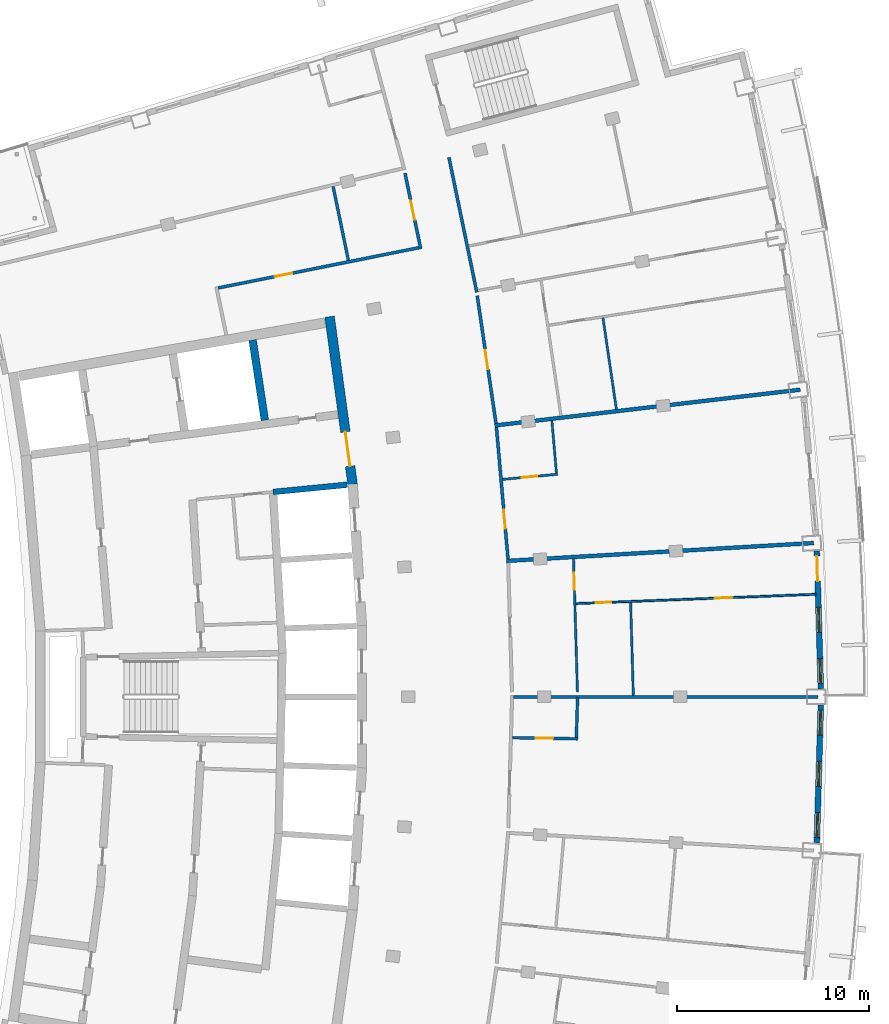
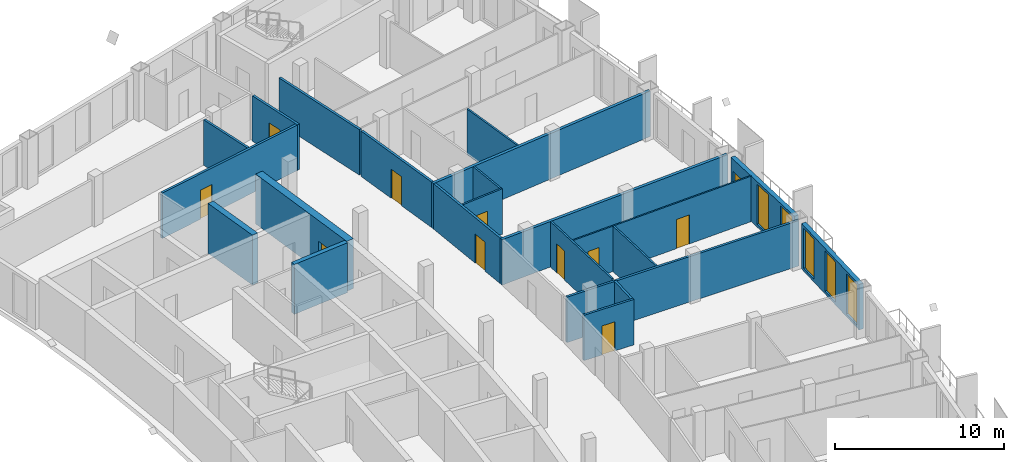
# One storey, part 11 of 15: 22 walls, 11 doors, 5 windows, 16 openings.
"""IFC4 building model written with IfcOpenShell, lengths in metres."""

from ifc_helpers import new_model, si_unit, direction, frame, frame_2d, origin, place, context, subcontext, project, spatial, rectangle, extrude, material, layer, layer_set, type_object, element, fill, save


model = new_model("IFC4")

# Units and contexts
model_context = context("Model", 3, precision=1e-05, world=origin(), true_north=direction((0.0, 1.0)))
body_context = subcontext(model_context, "Body", "Model", "MODEL_VIEW")
ifc_project = project(units=[si_unit("LENGTHUNIT", "METRE"), si_unit("AREAUNIT", "SQUARE_METRE"), si_unit("VOLUMEUNIT", "CUBIC_METRE"), si_unit("PLANEANGLEUNIT", "RADIAN"), si_unit("MASSUNIT", "GRAM", prefix="KILO")], contexts=[model_context])

# Site, building, storey
site_placement = place(None, origin())
site = spatial("IfcSite", under=ifc_project, at=site_placement, CompositionType="ELEMENT")
building_placement = place(site_placement, origin())
building = spatial("IfcBuilding", under=site, at=building_placement, Name="Alderwake Tower", CompositionType="ELEMENT")
storey_placement = place(building_placement, frame((0.0, 0.0, 252.800048828125)))
storey = spatial("IfcBuildingStorey", under=building, at=storey_placement, Name="L62", CompositionType="ELEMENT", Elevation=252.800048828125)

# Wall, opening, door
ifc_material_1 = material(Name="Concrete C70/85", Category="concrete")
ifc_layer_1 = layer(ifc_material_1, 0.5)
ifc_layer_set_1 = layer_set([ifc_layer_1], Name="Core wall outer 500 C70-85")
wall_type_1 = type_object("IfcWallType", Name="Core wall outer 500 C70-85", PredefinedType="SHEAR", material=ifc_layer_set_1)
wall_1_placement = place(storey_placement, frame((31.71728515625, 80.752685546875, 0.0), z_axis=(0.0, 0.0, 1.0), x_axis=(0.1358539401, -0.990728876615, 0.0)))
wall_1 = element("IfcWall", 1, at=wall_1_placement, inside=storey, type_object=wall_type_1, Name="Core wall CW.019", PredefinedType="SHEAR", context=body_context, shape_type="SweptSolid", body=[
    extrude(rectangle(XDim=8.794921875, YDim=0.5, at=frame_2d((4.3974609375, 0.0))), origin(), (0.0, 0.0, 1.0), 3.599853515625),
])
opening_1_placement = place(wall_1_placement, frame((6.0419921875, 0.0, 0.0)))
opening_1 = element("IfcOpeningElement", 2, at=opening_1_placement, cuts=wall_1, Name="Opening C001", PredefinedType="OPENING", context=body_context, shape_type="SweptSolid", body=[
    extrude(rectangle(XDim=1.800048828125, YDim=2.10009765625, at=frame_2d((0.89990234375, 1.050048828125))), frame((0.0, 0.260009765625, 0.0), z_axis=(0.0, -1.0, 0.0), x_axis=(1.0, 0.0, 0.0)), (0.0, 0.0, 1.0), 0.52001953125),
])
ifc_material_2 = material(Name="Steel-framed fire door leaves", Category="steel")
door_type_1 = type_object("IfcDoorType", Name="Core double door 1800 fire-rated", OperationType="DOUBLE_DOOR_SINGLE_SWING", PredefinedType="DOOR", material=ifc_material_2)
door_1_placement = place(opening_1_placement, origin())
door_1 = element("IfcDoor", 3, at=door_1_placement, inside=storey, type_object=door_type_1, Name="Lobby double door", OperationType="DOUBLE_DOOR_SINGLE_SWING", OverallHeight=2.10009765625, OverallWidth=1.800048828125, PredefinedType="DOOR", context=body_context, shape_type="SweptSolid", body=[
    extrude(rectangle(XDim=1.800048828125, YDim=2.10009765625, at=frame_2d((0.89990234375, 1.050048828125))), frame((0.0, 0.02490234375, 0.0), z_axis=(0.0, -1.0, 0.0), x_axis=(1.0, 0.0, 0.0)), (0.0, 0.0, 1.0), 0.050048828125),
])
fill(opening_1, door_1)

# Walls
ifc_material_3 = material(Name="Concrete C70/85", Category="concrete")
ifc_layer_2 = layer(ifc_material_3, 0.300048828125)
ifc_layer_set_2 = layer_set([ifc_layer_2], Name="Core wall shaft 300 C70-85")
wall_type_2 = type_object("IfcWallType", Name="Core wall shaft 300 C70-85", PredefinedType="SHEAR", material=ifc_layer_set_2)
wall_2_placement = place(storey_placement, frame((28.780517578125, 71.644287109375, 0.0), z_axis=(0.0, 0.0, 1.0), x_axis=(0.995244248631, 0.097410910928, 0.0)))
element("IfcWall", 4, at=wall_2_placement, inside=storey, type_object=wall_type_2, Name="Core wall CW.049", PredefinedType="SHEAR", context=body_context, shape_type="SweptSolid", body=[
    extrude(rectangle(XDim=3.86962890625, YDim=0.300048828125, at=frame_2d((1.934814453125, 0.0))), origin(), (0.0, 0.0, 1.0), 3.599853515625),
])
ifc_material_4 = material(Name="Concrete C70/85", Category="concrete")
ifc_layer_3 = layer(ifc_material_4, 0.39990234375)
ifc_layer_set_3 = layer_set([ifc_layer_3], Name="Core wall spine 400 C70-85")
wall_type_3 = type_object("IfcWallType", Name="Core wall spine 400 C70-85", PredefinedType="SHEAR", material=ifc_layer_set_3)
wall_3_placement = place(storey_placement, frame((28.350830078125, 75.373291015625, 0.0), z_axis=(0.0, 0.0, 1.0), x_axis=(-0.150576223774, 0.988598402201, 0.0)))
element("IfcWall", 5, at=wall_3_placement, inside=storey, type_object=wall_type_3, Name="Core wall CW.001", PredefinedType="SHEAR", context=body_context, shape_type="SweptSolid", body=[
    extrude(rectangle(XDim=4.21240234375, YDim=0.39990234375, at=frame_2d((2.106201171875, 0.0))), origin(), (0.0, 0.0, 1.0), 3.599853515625),
])

# Wall, opening, door
ifc_material_5 = material(Name="Gypsum board on metal studs, rated")
ifc_layer_4 = layer(ifc_material_5, 0.159912109375)
ifc_layer_set_4 = layer_set([ifc_layer_4], Name="Corridor wall 160")
wall_type_4 = type_object("IfcWallType", Name="Corridor wall 160", PredefinedType="PARTITIONING", material=ifc_layer_set_4)
wall_4_placement = place(storey_placement, frame((36.451416015625, 84.272705078125, 0.0), z_axis=(0.0, 0.0, 1.0), x_axis=(-0.203258199701, 0.979125172924, 0.0)))
wall_4 = element("IfcWall", 6, at=wall_4_placement, inside=storey, type_object=wall_type_4, Name="WL/L62/W15", PredefinedType="PARTITIONING", context=body_context, shape_type="SweptSolid", body=[
    extrude(rectangle(XDim=4.020263671875, YDim=0.159912109375, at=frame_2d((2.01025390625, 0.0))), origin(), (0.0, 0.0, 1.0), 3.280029296875),
])
opening_2_placement = place(wall_4_placement, frame((1.549560546875, 0.0, 0.0)))
opening_2 = element("IfcOpeningElement", 7, at=opening_2_placement, cuts=wall_4, Name="Opening R17-SBN2", PredefinedType="OPENING", context=body_context, shape_type="SweptSolid", body=[
    extrude(rectangle(XDim=1.0, YDim=2.10009765625, at=frame_2d((0.5, 1.050048828125))), frame((0.0, 0.08984375, 0.0), z_axis=(0.0, -1.0, 0.0), x_axis=(1.0, 0.0, 0.0)), (0.0, 0.0, 1.0), 0.179931640625),
])
ifc_material_6 = material(Name="Steel-framed fire door leaf", Category="steel")
door_type_2 = type_object("IfcDoorType", Name="Plant room door 1000 fire-rated", OperationType="SINGLE_SWING_LEFT", PredefinedType="DOOR", material=ifc_material_6)
door_2_placement = place(opening_2_placement, origin())
door_2 = element("IfcDoor", 8, at=door_2_placement, inside=storey, type_object=door_type_2, Name="DR/L62/SBN2", OperationType="SINGLE_SWING_LEFT", OverallHeight=2.10009765625, OverallWidth=1.0, PredefinedType="DOOR", context=body_context, shape_type="SweptSolid", body=[
    extrude(rectangle(XDim=1.0, YDim=2.10009765625, at=frame_2d((0.5, 1.050048828125))), frame((0.0, 0.02490234375, 0.0), z_axis=(0.0, -1.0, 0.0), x_axis=(1.0, 0.0, 0.0)), (0.0, 0.0, 1.0), 0.050048828125),
])
fill(opening_2, door_2)

wall_5_placement = place(storey_placement, frame((25.926513671875, 82.24267578125, 0.0), z_axis=(0.0, 0.0, 1.0), x_axis=(0.98046310274, 0.196703086316, 0.0)))
wall_5 = element("IfcWall", 9, at=wall_5_placement, inside=storey, type_object=wall_type_4, Name="WL/L62/W17", PredefinedType="PARTITIONING", context=body_context, shape_type="SweptSolid", body=[
    extrude(rectangle(XDim=10.637939453125, YDim=0.159912109375, at=frame_2d((5.31884765625, 0.0))), origin(), (0.0, 0.0, 1.0), 3.280029296875),
])
opening_3_placement = place(wall_5_placement, frame((3.009033203125, 0.0, 0.0)))
opening_3 = element("IfcOpeningElement", 10, at=opening_3_placement, cuts=wall_5, Name="Opening R17-SBN1", PredefinedType="OPENING", context=body_context, shape_type="SweptSolid", body=[
    extrude(rectangle(XDim=0.89990234375, YDim=2.10009765625, at=frame_2d((0.449951171875, 1.050048828125))), frame((0.0, 0.08984375, 0.0), z_axis=(0.0, -1.0, 0.0), x_axis=(1.0, 0.0, 0.0)), (0.0, 0.0, 1.0), 0.179931640625),
])
ifc_material_7 = material(Name="Painted timber leaf", Category="wood")
door_type_3 = type_object("IfcDoorType", Name="Room door 900", OperationType="SINGLE_SWING_LEFT", PredefinedType="DOOR", material=ifc_material_7)
door_3_placement = place(opening_3_placement, origin())
door_3 = element("IfcDoor", 11, at=door_3_placement, inside=storey, type_object=door_type_3, Name="DR/L62/SBN1", OperationType="SINGLE_SWING_LEFT", OverallHeight=2.10009765625, OverallWidth=0.89990234375, PredefinedType="DOOR", context=body_context, shape_type="SweptSolid", body=[
    extrude(rectangle(XDim=0.89990234375, YDim=2.10009765625, at=frame_2d((0.449951171875, 1.050048828125))), frame((0.0, 0.02490234375, 0.0), z_axis=(0.0, -1.0, 0.0), x_axis=(1.0, 0.0, 0.0)), (0.0, 0.0, 1.0), 0.050048828125),
])
fill(opening_3, door_3)

# Wall
wall_6_placement = place(storey_placement, frame((39.3642578125, 82.022705078125, 0.0), z_axis=(0.0, 0.0, 1.0), x_axis=(-0.202409142021, 0.979301046271, 0.0)))
element("IfcWall", 12, at=wall_6_placement, inside=storey, type_object=wall_type_4, Name="WL/L62/W20", PredefinedType="PARTITIONING", context=body_context, shape_type="SweptSolid", body=[
    extrude(rectangle(XDim=7.150146484375, YDim=0.159912109375, at=frame_2d((3.5751953125, 0.0))), origin(), (0.0, 0.0, 1.0), 3.280029296875),
])

# Wall, opening, door
wall_7_placement = place(storey_placement, frame((39.38671875, 81.837158203125, 0.0), z_axis=(0.0, 0.0, 1.0), x_axis=(0.145576845789, -0.989346947218, 0.0)))
wall_7 = element("IfcWall", 13, at=wall_7_placement, inside=storey, type_object=wall_type_4, Name="WL/L62/W22", PredefinedType="PARTITIONING", context=body_context, shape_type="SweptSolid", body=[
    extrude(rectangle(XDim=6.701416015625, YDim=0.159912109375, at=frame_2d((3.3505859375, 0.0))), origin(), (0.0, 0.0, 1.0), 3.280029296875),
])
opening_4_placement = place(wall_7_placement, frame((2.850830078125, 0.0, 0.0)))
opening_4 = element("IfcOpeningElement", 14, at=opening_4_placement, cuts=wall_7, Name="Opening R17-U07.1", PredefinedType="OPENING", context=body_context, shape_type="SweptSolid", body=[
    extrude(rectangle(XDim=1.0, YDim=2.10009765625, at=frame_2d((0.5, 1.050048828125))), frame((0.0, 0.08984375, 0.0), z_axis=(0.0, -1.0, 0.0), x_axis=(1.0, 0.0, 0.0)), (0.0, 0.0, 1.0), 0.179931640625),
])
ifc_material_8 = material(Name="Solid timber leaf in steel frame", Category="steel")
door_type_4 = type_object("IfcDoorType", Name="Flat entrance door 1000 fire-rated", OperationType="SINGLE_SWING_LEFT", PredefinedType="DOOR", material=ifc_material_8)
door_4_placement = place(opening_4_placement, origin())
door_4 = element("IfcDoor", 15, at=door_4_placement, inside=storey, type_object=door_type_4, Name="DR/L62/U07.1", OperationType="SINGLE_SWING_LEFT", OverallHeight=2.10009765625, OverallWidth=1.0, PredefinedType="DOOR", context=body_context, shape_type="SweptSolid", body=[
    extrude(rectangle(XDim=1.0, YDim=2.10009765625, at=frame_2d((0.5, 1.050048828125))), frame((0.0, 0.02490234375, 0.0), z_axis=(0.0, -1.0, 0.0), x_axis=(1.0, 0.0, 0.0)), (0.0, 0.0, 1.0), 0.050048828125),
])
fill(opening_4, door_4)

wall_8_placement = place(storey_placement, frame((40.3857421875, 75.00830078125, 0.0), z_axis=(0.0, 0.0, 1.0), x_axis=(0.087448731147, -0.996169021512, 0.0)))
wall_8 = element("IfcWall", 16, at=wall_8_placement, inside=storey, type_object=wall_type_4, Name="WL/L62/W25", PredefinedType="PARTITIONING", context=body_context, shape_type="SweptSolid", body=[
    extrude(rectangle(XDim=6.867919921875, YDim=0.159912109375, at=frame_2d((3.43408203125, 0.0))), origin(), (0.0, 0.0, 1.0), 3.280029296875),
])
opening_5_placement = place(wall_8_placement, frame((4.2978515625, 0.0, 0.0)))
opening_5 = element("IfcOpeningElement", 17, at=opening_5_placement, cuts=wall_8, Name="Opening R17-U06.1", PredefinedType="OPENING", context=body_context, shape_type="SweptSolid", body=[
    extrude(rectangle(XDim=1.0, YDim=2.10009765625, at=frame_2d((0.5, 1.050048828125))), frame((0.0, 0.08984375, 0.0), z_axis=(0.0, -1.0, 0.0), x_axis=(1.0, 0.0, 0.0)), (0.0, 0.0, 1.0), 0.179931640625),
])
door_5_placement = place(opening_5_placement, origin())
door_5 = element("IfcDoor", 18, at=door_5_placement, inside=storey, type_object=door_type_4, Name="DR/L62/U06.1", OperationType="SINGLE_SWING_LEFT", OverallHeight=2.10009765625, OverallWidth=1.0, PredefinedType="DOOR", context=body_context, shape_type="SweptSolid", body=[
    extrude(rectangle(XDim=1.0, YDim=2.10009765625, at=frame_2d((0.5, 1.050048828125))), frame((0.0, 0.02490234375, 0.0), z_axis=(0.0, -1.0, 0.0), x_axis=(1.0, 0.0, 0.0)), (0.0, 0.0, 1.0), 0.050048828125),
])
fill(opening_5, door_5)

# Wall
wall_9_placement = place(storey_placement, frame((57.09912109375, 60.9990234375, 0.0), z_axis=(0.0, 0.0, 1.0), x_axis=(-1.0, 0.0, 0.0)))
element("IfcWall", 19, at=wall_9_placement, inside=storey, type_object=wall_type_4, Name="WL/L62/W27", PredefinedType="PARTITIONING", context=body_context, shape_type="SweptSolid", body=[
    extrude(rectangle(XDim=15.820068359375, YDim=0.159912109375, at=frame_2d((7.91015625, 0.0))), origin(), (0.0, 0.0, 1.0), 3.280029296875),
])

# Wall, openings, windows
ifc_material_9 = material(Name="Precast concrete C50/60 spandrel panel", Category="concrete")
ifc_layer_5 = layer(ifc_material_9, 0.300048828125)
ifc_layer_set_5 = layer_set([ifc_layer_5], Name="External wall EW1 Precast concrete C50/60 spandrel")
wall_type_5 = type_object("IfcWallType", Name="External wall EW1 Precast concrete C50/60 spandrel", PredefinedType="SOLIDWALL", material=ifc_layer_set_5)
wall_10_placement = place(storey_placement, frame((57.02880859375, 53.419921875, 0.0), z_axis=(0.0, 0.0, 1.0), x_axis=(0.029180665561, 0.999574153706, 0.0)))
wall_10 = element("IfcWall", 20, at=wall_10_placement, inside=storey, type_object=wall_type_5, Name="External wall 15", PredefinedType="SOLIDWALL", context=body_context, shape_type="SweptSolid", body=[
    extrude(rectangle(XDim=7.16162109375, YDim=0.300048828125, at=frame_2d((3.580810546875, 0.0))), origin(), (0.0, 0.0, 1.0), 3.280029296875),
])
opening_6_placement = place(wall_10_placement, frame((0.267333984375, 0.0, 0.199951171875)))
opening_6 = element("IfcOpeningElement", 21, at=opening_6_placement, cuts=wall_10, Name="Opening W1", PredefinedType="OPENING", context=body_context, shape_type="SweptSolid", body=[
    extrude(rectangle(XDim=1.300048828125, YDim=2.89990234375, at=frame_2d((0.64990234375, 1.449951171875))), frame((0.0, 0.159912109375, 0.0), z_axis=(0.0, -1.0, 0.0), x_axis=(1.0, 0.0, 0.0)), (0.0, 0.0, 1.0), 0.320068359375),
])
opening_7_placement = place(wall_10_placement, frame((2.930908203125, 0.0, 0.199951171875)))
opening_7 = element("IfcOpeningElement", 22, at=opening_7_placement, cuts=wall_10, Name="Opening W1", PredefinedType="OPENING", context=body_context, shape_type="SweptSolid", body=[
    extrude(rectangle(XDim=1.300048828125, YDim=2.89990234375, at=frame_2d((0.64990234375, 1.449951171875))), frame((0.0, 0.159912109375, 0.0), z_axis=(0.0, -1.0, 0.0), x_axis=(1.0, 0.0, 0.0)), (0.0, 0.0, 1.0), 0.320068359375),
])
opening_8_placement = place(wall_10_placement, frame((5.59423828125, 0.0, 0.199951171875)))
opening_8 = element("IfcOpeningElement", 23, at=opening_8_placement, cuts=wall_10, Name="Opening W1", PredefinedType="OPENING", context=body_context, shape_type="SweptSolid", body=[
    extrude(rectangle(XDim=1.300048828125, YDim=2.89990234375, at=frame_2d((0.64990234375, 1.449951171875))), frame((0.0, 0.159912109375, 0.0), z_axis=(0.0, -1.0, 0.0), x_axis=(1.0, 0.0, 0.0)), (0.0, 0.0, 1.0), 0.320068359375),
])
ifc_material_10 = material(Name="Bronze tinted glass in aluminium frame", Category="aluminium")
window_type = type_object("IfcWindowType", Name="Window W1 tall fixed and vent", PartitioningType="DOUBLE_PANEL_VERTICAL", PredefinedType="WINDOW", material=ifc_material_10)
window_1_placement = place(opening_6_placement, origin())
window_1 = element("IfcWindow", 24, at=window_1_placement, inside=storey, type_object=window_type, Name="Window W1 tall fixed and vent", OverallHeight=2.89990234375, OverallWidth=1.300048828125, PartitioningType="DOUBLE_PANEL_VERTICAL", PredefinedType="WINDOW", context=body_context, shape_type="SweptSolid", body=[
    extrude(rectangle(XDim=1.300048828125, YDim=2.89990234375, at=frame_2d((0.64990234375, 1.449951171875))), frame((0.0, 0.030029296875, 0.0), z_axis=(0.0, -1.0, 0.0), x_axis=(1.0, 0.0, 0.0)), (0.0, 0.0, 1.0), 0.06005859375),
])
fill(opening_6, window_1)
window_2_placement = place(opening_7_placement, origin())
window_2 = element("IfcWindow", 25, at=window_2_placement, inside=storey, type_object=window_type, Name="Window W1 tall fixed and vent", OverallHeight=2.89990234375, OverallWidth=1.300048828125, PartitioningType="DOUBLE_PANEL_VERTICAL", PredefinedType="WINDOW", context=body_context, shape_type="SweptSolid", body=[
    extrude(rectangle(XDim=1.300048828125, YDim=2.89990234375, at=frame_2d((0.64990234375, 1.449951171875))), frame((0.0, 0.030029296875, 0.0), z_axis=(0.0, -1.0, 0.0), x_axis=(1.0, 0.0, 0.0)), (0.0, 0.0, 1.0), 0.06005859375),
])
fill(opening_7, window_2)
window_3_placement = place(opening_8_placement, origin())
window_3 = element("IfcWindow", 26, at=window_3_placement, inside=storey, type_object=window_type, Name="Window W1 tall fixed and vent", OverallHeight=2.89990234375, OverallWidth=1.300048828125, PartitioningType="DOUBLE_PANEL_VERTICAL", PredefinedType="WINDOW", context=body_context, shape_type="SweptSolid", body=[
    extrude(rectangle(XDim=1.300048828125, YDim=2.89990234375, at=frame_2d((0.64990234375, 1.449951171875))), frame((0.0, 0.030029296875, 0.0), z_axis=(0.0, -1.0, 0.0), x_axis=(1.0, 0.0, 0.0)), (0.0, 0.0, 1.0), 0.06005859375),
])
fill(opening_8, window_3)

# Wall, openings, door, windows
wall_11_placement = place(storey_placement, frame((57.23779296875, 61.42138671875, 0.0), z_axis=(0.0, 0.0, 1.0), x_axis=(-0.029180665561, 0.999574153706, 0.0)))
wall_11 = element("IfcWall", 27, at=wall_11_placement, inside=storey, type_object=wall_type_5, Name="External wall 16", PredefinedType="SOLIDWALL", context=body_context, shape_type="SweptSolid", body=[
    extrude(rectangle(XDim=7.16162109375, YDim=0.300048828125, at=frame_2d((3.580810546875, 0.0))), origin(), (0.0, 0.0, 1.0), 3.280029296875),
])
opening_9_placement = place(wall_11_placement, frame((0.267333984375, 0.0, 0.199951171875)))
opening_9 = element("IfcOpeningElement", 28, at=opening_9_placement, cuts=wall_11, Name="Opening W1", PredefinedType="OPENING", context=body_context, shape_type="SweptSolid", body=[
    extrude(rectangle(XDim=1.300048828125, YDim=2.89990234375, at=frame_2d((0.64990234375, 1.449951171875))), frame((0.0, 0.159912109375, 0.0), z_axis=(0.0, -1.0, 0.0), x_axis=(1.0, 0.0, 0.0)), (0.0, 0.0, 1.0), 0.320068359375),
])
opening_10_placement = place(wall_11_placement, frame((2.930908203125, 0.0, 0.199951171875)))
opening_10 = element("IfcOpeningElement", 29, at=opening_10_placement, cuts=wall_11, Name="Opening W1", PredefinedType="OPENING", context=body_context, shape_type="SweptSolid", body=[
    extrude(rectangle(XDim=1.300048828125, YDim=2.89990234375, at=frame_2d((0.64990234375, 1.449951171875))), frame((0.0, 0.159912109375, 0.0), z_axis=(0.0, -1.0, 0.0), x_axis=(1.0, 0.0, 0.0)), (0.0, 0.0, 1.0), 0.320068359375),
])
opening_11_placement = place(wall_11_placement, frame((5.59423828125, 0.0, 0.0)))
opening_11 = element("IfcOpeningElement", 30, at=opening_11_placement, cuts=wall_11, Name="Opening D05", PredefinedType="OPENING", context=body_context, shape_type="SweptSolid", body=[
    extrude(rectangle(XDim=1.300048828125, YDim=2.39990234375, at=frame_2d((0.64990234375, 1.199951171875))), frame((0.0, 0.159912109375, 0.0), z_axis=(0.0, -1.0, 0.0), x_axis=(1.0, 0.0, 0.0)), (0.0, 0.0, 1.0), 0.320068359375),
])
ifc_material_11 = material(Name="Bronze tinted glass in aluminium frame", Category="aluminium")
door_type_5 = type_object("IfcDoorType", Name="Balcony door BD sliding", OperationType="SLIDING_TO_LEFT", PredefinedType="DOOR", material=ifc_material_11)
door_6_placement = place(opening_11_placement, origin())
door_6 = element("IfcDoor", 31, at=door_6_placement, inside=storey, type_object=door_type_5, Name="Door D05", OperationType="SLIDING_TO_LEFT", OverallHeight=2.39990234375, OverallWidth=1.300048828125, PredefinedType="DOOR", context=body_context, shape_type="SweptSolid", body=[
    extrude(rectangle(XDim=1.300048828125, YDim=2.39990234375, at=frame_2d((0.64990234375, 1.199951171875))), frame((0.0, 0.02490234375, 0.0), z_axis=(0.0, -1.0, 0.0), x_axis=(1.0, 0.0, 0.0)), (0.0, 0.0, 1.0), 0.050048828125),
])
fill(opening_11, door_6)
window_4_placement = place(opening_9_placement, origin())
window_4 = element("IfcWindow", 32, at=window_4_placement, inside=storey, type_object=window_type, Name="Window W1 tall fixed and vent", OverallHeight=2.89990234375, OverallWidth=1.300048828125, PartitioningType="DOUBLE_PANEL_VERTICAL", PredefinedType="WINDOW", context=body_context, shape_type="SweptSolid", body=[
    extrude(rectangle(XDim=1.300048828125, YDim=2.89990234375, at=frame_2d((0.64990234375, 1.449951171875))), frame((0.0, 0.030029296875, 0.0), z_axis=(0.0, -1.0, 0.0), x_axis=(1.0, 0.0, 0.0)), (0.0, 0.0, 1.0), 0.06005859375),
])
fill(opening_9, window_4)
window_5_placement = place(opening_10_placement, origin())
window_5 = element("IfcWindow", 33, at=window_5_placement, inside=storey, type_object=window_type, Name="Window W1 tall fixed and vent", OverallHeight=2.89990234375, OverallWidth=1.300048828125, PartitioningType="DOUBLE_PANEL_VERTICAL", PredefinedType="WINDOW", context=body_context, shape_type="SweptSolid", body=[
    extrude(rectangle(XDim=1.300048828125, YDim=2.89990234375, at=frame_2d((0.64990234375, 1.449951171875))), frame((0.0, 0.030029296875, 0.0), z_axis=(0.0, -1.0, 0.0), x_axis=(1.0, 0.0, 0.0)), (0.0, 0.0, 1.0), 0.06005859375),
])
fill(opening_10, window_5)

# Walls
ifc_material_12 = material(Name="Dense block masonry wall", Category="masonry")
ifc_layer_6 = layer(ifc_material_12, 0.199951171875)
ifc_layer_set_6 = layer_set([ifc_layer_6], Name="Party wall 200")
wall_type_6 = type_object("IfcWallType", Name="Party wall 200", PredefinedType="SOLIDWALL", material=ifc_layer_set_6)
for number, where, z_axis, x_axis, name in (
    (34, (40.297607421875, 75.0986328125, 0.0), (0.0, 0.0, 1.0), (0.993200362616, 0.11641752316, 0.0), "WL/L62/W01"),
    (35, (56.867919921875, 68.993896484375, 0.0), (0.0, 0.0, 1.0), (-0.998299097352, -0.058300190617, 0.0), "WL/L62/W03"),
):
    element("IfcWall", number, at=place(storey_placement, frame(where, z_axis=z_axis, x_axis=x_axis)), inside=storey, type_object=wall_type_6, Name=name, PredefinedType="SOLIDWALL", context=body_context, shape_type="SweptSolid", body=[
        extrude(rectangle(XDim=15.97998046875, YDim=0.199951171875, at=frame_2d((7.989990234375, 0.0))), origin(), (0.0, 0.0, 1.0), 3.280029296875),
    ])
ifc_material_13 = material(Name="Gypsum shaft wall system, rated")
ifc_layer_7 = layer(ifc_material_13, 0.14990234375)
ifc_layer_set_7 = layer_set([ifc_layer_7], Name="Riser and shaft wall 150")
wall_type_7 = type_object("IfcWallType", Name="Riser and shaft wall 150", PredefinedType="PARTITIONING", material=ifc_layer_set_7)
wall_12_placement = place(storey_placement, frame((32.69287109375, 83.682373046875, 0.0), z_axis=(0.0, 0.0, 1.0), x_axis=(-0.20266545775, 0.979248034073, 0.0)))
element("IfcWall", 36, at=wall_12_placement, inside=storey, type_object=wall_type_7, Name="WL/L62/W05", PredefinedType="PARTITIONING", context=body_context, shape_type="SweptSolid", body=[
    extrude(rectangle(XDim=3.911376953125, YDim=0.14990234375, at=frame_2d((1.95556640625, 0.0))), origin(), (0.0, 0.0, 1.0), 3.280029296875),
])

# Wall, opening, door
wall_13_placement = place(storey_placement, frame((41.218994140625, 58.879638671875, 0.0), z_axis=(0.0, 0.0, 1.0), x_axis=(0.999843204507, -0.017707806214, 0.0)))
wall_13 = element("IfcWall", 37, at=wall_13_placement, inside=storey, type_object=wall_type_7, Name="WL/L62/W06", PredefinedType="PARTITIONING", context=body_context, shape_type="SweptSolid", body=[
    extrude(rectangle(XDim=3.3916015625, YDim=0.14990234375, at=frame_2d((1.69580078125, 0.0))), origin(), (0.0, 0.0, 1.0), 3.280029296875),
])
opening_12_placement = place(wall_13_placement, frame((1.208984375, 0.0, 0.0)))
opening_12 = element("IfcOpeningElement", 38, at=opening_12_placement, cuts=wall_13, Name="Opening R17-AM1.2", PredefinedType="OPENING", context=body_context, shape_type="SweptSolid", body=[
    extrude(rectangle(XDim=0.89990234375, YDim=2.10009765625, at=frame_2d((0.449951171875, 1.050048828125))), frame((0.0, 0.0849609375, 0.0), z_axis=(0.0, -1.0, 0.0), x_axis=(1.0, 0.0, 0.0)), (0.0, 0.0, 1.0), 0.169921875),
])
door_7_placement = place(opening_12_placement, origin())
door_7 = element("IfcDoor", 39, at=door_7_placement, inside=storey, type_object=door_type_3, Name="DR/L62/AM1.2", OperationType="SINGLE_SWING_LEFT", OverallHeight=2.10009765625, OverallWidth=0.89990234375, PredefinedType="DOOR", context=body_context, shape_type="SweptSolid", body=[
    extrude(rectangle(XDim=0.89990234375, YDim=2.10009765625, at=frame_2d((0.449951171875, 1.050048828125))), frame((0.0, 0.02490234375, 0.0), z_axis=(0.0, -1.0, 0.0), x_axis=(1.0, 0.0, 0.0)), (0.0, 0.0, 1.0), 0.050048828125),
])
fill(opening_12, door_7)

# Wall
wall_14_placement = place(storey_placement, frame((44.537353515625, 58.89599609375, 0.0), z_axis=(0.0, 0.0, 1.0), x_axis=(0.030225283969, 0.999543111731, 0.0)))
element("IfcWall", 40, at=wall_14_placement, inside=storey, type_object=wall_type_7, Name="WL/L62/W07", PredefinedType="PARTITIONING", context=body_context, shape_type="SweptSolid", body=[
    extrude(rectangle(XDim=2.083984375, YDim=0.14990234375, at=frame_2d((1.0419921875, 0.0))), origin(), (0.0, 0.0, 1.0), 3.280029296875),
])

# Wall, openings, doors
ifc_material_14 = material(Name="Gypsum board on metal studs")
ifc_layer_8 = layer(ifc_material_14, 0.10009765625)
ifc_layer_set_8 = layer_set([ifc_layer_8], Name="Unit partition 100")
wall_type_8 = type_object("IfcWallType", Name="Unit partition 100", PredefinedType="PARTITIONING", material=ifc_layer_set_8)
wall_15_placement = place(storey_placement, frame((56.993896484375, 66.330078125, 0.0), z_axis=(0.0, 0.0, 1.0), x_axis=(-0.999248438224, -0.038762852143, 0.0)))
wall_15 = element("IfcWall", 41, at=wall_15_placement, inside=storey, type_object=wall_type_8, Name="WL/L62/W51", PredefinedType="PARTITIONING", context=body_context, shape_type="SweptSolid", body=[
    extrude(rectangle(XDim=12.483154296875, YDim=0.10009765625, at=frame_2d((6.24169921875, 0.0))), origin(), (0.0, 0.0, 1.0), 3.280029296875),
])
opening_13_placement = place(wall_15_placement, frame((10.66455078125, 0.0, 0.0)))
opening_13 = element("IfcOpeningElement", 42, at=opening_13_placement, cuts=wall_15, Name="Opening R17-U05.3", PredefinedType="OPENING", context=body_context, shape_type="SweptSolid", body=[
    extrude(rectangle(XDim=0.800048828125, YDim=2.10009765625, at=frame_2d((0.39990234375, 1.050048828125))), frame((0.0, 0.06005859375, 0.0), z_axis=(0.0, -1.0, 0.0), x_axis=(1.0, 0.0, 0.0)), (0.0, 0.0, 1.0), 0.1201171875),
])
opening_14_placement = place(wall_15_placement, frame((4.373291015625, 0.0, 0.0)))
opening_14 = element("IfcOpeningElement", 43, at=opening_14_placement, cuts=wall_15, Name="Opening R17-U05.4", PredefinedType="OPENING", context=body_context, shape_type="SweptSolid", body=[
    extrude(rectangle(XDim=0.89990234375, YDim=2.10009765625, at=frame_2d((0.449951171875, 1.050048828125))), frame((0.0, 0.06005859375, 0.0), z_axis=(0.0, -1.0, 0.0), x_axis=(1.0, 0.0, 0.0)), (0.0, 0.0, 1.0), 0.1201171875),
])
ifc_material_15 = material(Name="Painted timber leaf", Category="wood")
door_type_6 = type_object("IfcDoorType", Name="Bathroom door 800", OperationType="SINGLE_SWING_LEFT", PredefinedType="DOOR", material=ifc_material_15)
door_8_placement = place(opening_13_placement, origin())
door_8 = element("IfcDoor", 44, at=door_8_placement, inside=storey, type_object=door_type_6, Name="DR/L62/U05.3", OperationType="SINGLE_SWING_LEFT", OverallHeight=2.10009765625, OverallWidth=0.800048828125, PredefinedType="DOOR", context=body_context, shape_type="SweptSolid", body=[
    extrude(rectangle(XDim=0.800048828125, YDim=2.10009765625, at=frame_2d((0.39990234375, 1.050048828125))), frame((0.0, 0.02490234375, 0.0), z_axis=(0.0, -1.0, 0.0), x_axis=(1.0, 0.0, 0.0)), (0.0, 0.0, 1.0), 0.050048828125),
])
fill(opening_13, door_8)
door_9_placement = place(opening_14_placement, origin())
door_9 = element("IfcDoor", 45, at=door_9_placement, inside=storey, type_object=door_type_3, Name="DR/L62/U05.4", OperationType="SINGLE_SWING_LEFT", OverallHeight=2.10009765625, OverallWidth=0.89990234375, PredefinedType="DOOR", context=body_context, shape_type="SweptSolid", body=[
    extrude(rectangle(XDim=0.89990234375, YDim=2.10009765625, at=frame_2d((0.449951171875, 1.050048828125))), frame((0.0, 0.02490234375, 0.0), z_axis=(0.0, -1.0, 0.0), x_axis=(1.0, 0.0, 0.0)), (0.0, 0.0, 1.0), 0.050048828125),
])
fill(opening_14, door_9)

# Wall, opening, door
ifc_material_16 = material(Name="Moisture resistant gypsum board on metal studs")
ifc_layer_9 = layer(ifc_material_16, 0.1201171875)
ifc_layer_set_9 = layer_set([ifc_layer_9], Name="Wet room partition 120")
wall_type_9 = type_object("IfcWallType", Name="Wet room partition 120", PredefinedType="PARTITIONING", material=ifc_layer_set_9)
wall_16_placement = place(storey_placement, frame((40.70263671875, 72.298583984375, 0.0), z_axis=(0.0, 0.0, 1.0), x_axis=(0.995654155173, 0.093127886735, 0.0)))
wall_16 = element("IfcWall", 46, at=wall_16_placement, inside=storey, type_object=wall_type_9, Name="WL/L62/W32", PredefinedType="PARTITIONING", context=body_context, shape_type="SweptSolid", body=[
    extrude(rectangle(XDim=2.87841796875, YDim=0.1201171875, at=frame_2d((1.439208984375, 0.0))), origin(), (0.0, 0.0, 1.0), 3.280029296875),
])
opening_15_placement = place(wall_16_placement, frame((1.009521484375, 0.0, 0.0)))
opening_15 = element("IfcOpeningElement", 47, at=opening_15_placement, cuts=wall_16, Name="Opening R17-U06.2", PredefinedType="OPENING", context=body_context, shape_type="SweptSolid", body=[
    extrude(rectangle(XDim=0.800048828125, YDim=2.10009765625, at=frame_2d((0.39990234375, 1.050048828125))), frame((0.0, 0.070068359375, 0.0), z_axis=(0.0, -1.0, 0.0), x_axis=(1.0, 0.0, 0.0)), (0.0, 0.0, 1.0), 0.14013671875),
])
door_10_placement = place(opening_15_placement, origin())
door_10 = element("IfcDoor", 48, at=door_10_placement, inside=storey, type_object=door_type_6, Name="DR/L62/U06.2", OperationType="SINGLE_SWING_LEFT", OverallHeight=2.10009765625, OverallWidth=0.800048828125, PredefinedType="DOOR", context=body_context, shape_type="SweptSolid", body=[
    extrude(rectangle(XDim=0.800048828125, YDim=2.10009765625, at=frame_2d((0.39990234375, 1.050048828125))), frame((0.0, 0.02490234375, 0.0), z_axis=(0.0, -1.0, 0.0), x_axis=(1.0, 0.0, 0.0)), (0.0, 0.0, 1.0), 0.050048828125),
])
fill(opening_15, door_10)

# Wall
wall_17_placement = place(storey_placement, frame((43.50390625, 72.620849609375, 0.0), z_axis=(0.0, 0.0, 1.0), x_axis=(-0.087060721227, 0.996203006831, 0.0)))
element("IfcWall", 49, at=wall_17_placement, inside=storey, type_object=wall_type_9, Name="WL/L62/W38", PredefinedType="PARTITIONING", context=body_context, shape_type="SweptSolid", body=[
    extrude(rectangle(XDim=2.737060546875, YDim=0.1201171875, at=frame_2d((1.36865234375, 0.0))), origin(), (0.0, 0.0, 1.0), 3.280029296875),
])

# Wall, opening, door
wall_18_placement = place(storey_placement, frame((44.390869140625, 68.1650390625, 0.0), z_axis=(0.0, 0.0, 1.0), x_axis=(0.029321285684, -0.99957003867, 0.0)))
wall_18 = element("IfcWall", 50, at=wall_18_placement, inside=storey, type_object=wall_type_9, Name="WL/L62/W40", PredefinedType="PARTITIONING", context=body_context, shape_type="SweptSolid", body=[
    extrude(rectangle(XDim=6.919189453125, YDim=0.1201171875, at=frame_2d((3.45947265625, 0.0))), origin(), (0.0, 0.0, 1.0), 3.280029296875),
])
opening_16_placement = place(wall_18_placement, frame((0.711669921875, 0.0, 0.0)))
opening_16 = element("IfcOpeningElement", 51, at=opening_16_placement, cuts=wall_18, Name="Opening R17-U05.2", PredefinedType="OPENING", context=body_context, shape_type="SweptSolid", body=[
    extrude(rectangle(XDim=0.89990234375, YDim=2.10009765625, at=frame_2d((0.449951171875, 1.050048828125))), frame((0.0, 0.070068359375, 0.0), z_axis=(0.0, -1.0, 0.0), x_axis=(1.0, 0.0, 0.0)), (0.0, 0.0, 1.0), 0.14013671875),
])
door_11_placement = place(opening_16_placement, origin())
door_11 = element("IfcDoor", 52, at=door_11_placement, inside=storey, type_object=door_type_3, Name="DR/L62/U05.2", OperationType="SINGLE_SWING_LEFT", OverallHeight=2.10009765625, OverallWidth=0.89990234375, PredefinedType="DOOR", context=body_context, shape_type="SweptSolid", body=[
    extrude(rectangle(XDim=0.89990234375, YDim=2.10009765625, at=frame_2d((0.449951171875, 1.050048828125))), frame((0.0, 0.02490234375, 0.0), z_axis=(0.0, -1.0, 0.0), x_axis=(1.0, 0.0, 0.0)), (0.0, 0.0, 1.0), 0.050048828125),
])
fill(opening_16, door_11)

# Walls
wall_19_placement = place(storey_placement, frame((46.617431640625, 75.93896484375, 0.0), z_axis=(0.0, 0.0, 1.0), x_axis=(-0.145238137818, 0.989396726962, 0.0)))
element("IfcWall", 53, at=wall_19_placement, inside=storey, type_object=wall_type_9, Name="WL/L62/W42", PredefinedType="PARTITIONING", context=body_context, shape_type="SweptSolid", body=[
    extrude(rectangle(XDim=4.8076171875, YDim=0.1201171875, at=frame_2d((2.40380859375, 0.0))), origin(), (0.0, 0.0, 1.0), 3.280029296875),
])
wall_20_placement = place(storey_placement, frame((47.49658203125, 61.0791015625, 0.0), z_axis=(0.0, 0.0, 1.0), x_axis=(-0.029026061013, 0.999578655125, 0.0)))
element("IfcWall", 54, at=wall_20_placement, inside=storey, type_object=wall_type_9, Name="WL/L62/W43", PredefinedType="PARTITIONING", context=body_context, shape_type="SweptSolid", body=[
    extrude(rectangle(XDim=4.827880859375, YDim=0.1201171875, at=frame_2d((2.4140625, 0.0))), origin(), (0.0, 0.0, 1.0), 3.280029296875),
])

save(model, "model.ifc")
